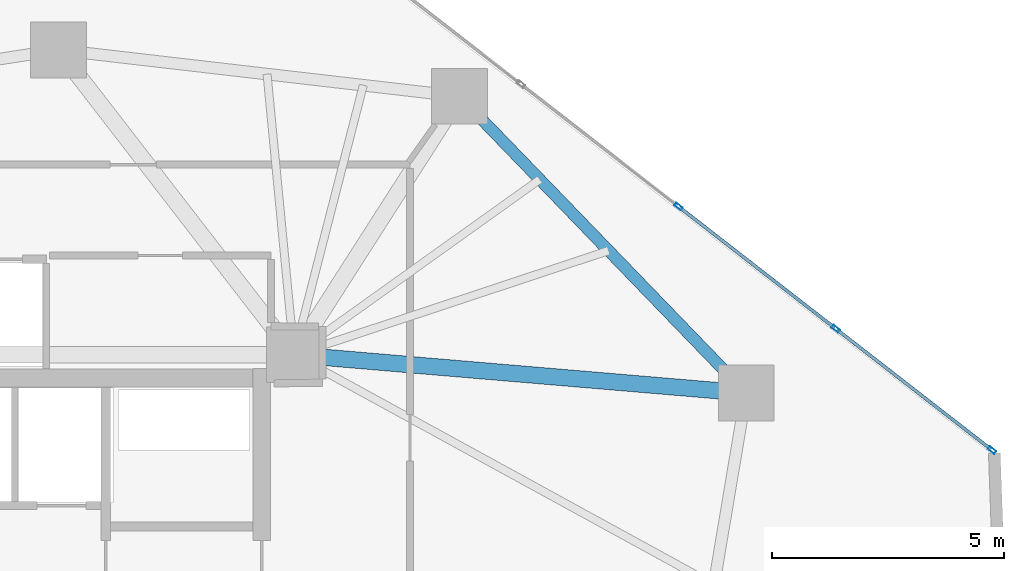
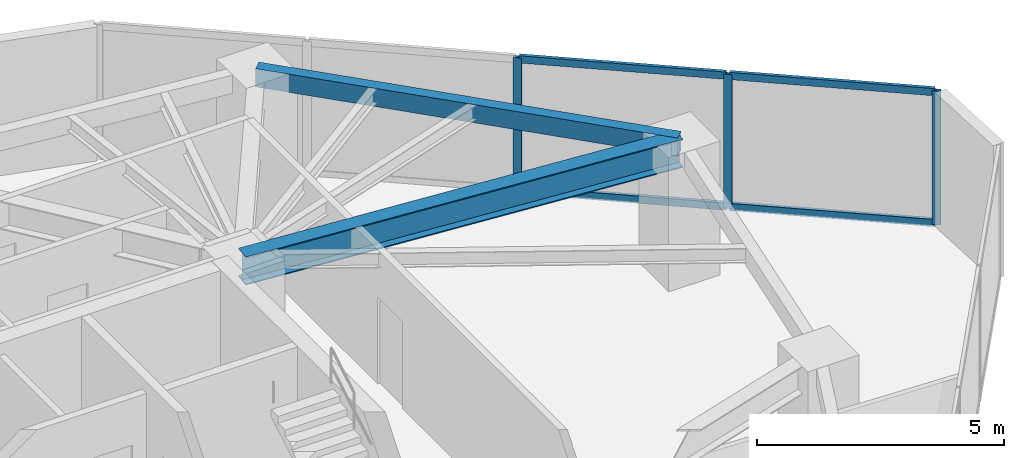
# One storey, part 13 of 22: 7 members, 2 beams, 1 element without a shape of its own.
"""IFC4 building model written with IfcOpenShell, lengths in metres."""

from ifc_helpers import new_model, si_unit, direction, frame, origin, origin_2d, place, context, subcontext, project, spatial, hollow_rectangle, i_section, extrude, source, transform, mapped, material, layer, layer_set, material_profile, profile_set, type_object, type_shapes, element, aggregate, save


model = new_model("IFC4")

# Units and contexts
model_context = context("Model", 3, precision=1e-05, world=origin(), true_north=direction((0.0, 1.0)))
body_context = subcontext(model_context, "Body", "Model", "MODEL_VIEW")
ifc_project = project(units=[si_unit("LENGTHUNIT", "METRE"), si_unit("AREAUNIT", "SQUARE_METRE"), si_unit("VOLUMEUNIT", "CUBIC_METRE"), si_unit("PLANEANGLEUNIT", "RADIAN"), si_unit("MASSUNIT", "GRAM", prefix="KILO")], contexts=[model_context])

# Site, building, storey
site_placement = place(None, origin())
site = spatial("IfcSite", under=ifc_project, at=site_placement, CompositionType="ELEMENT")
building_placement = place(site_placement, origin())
building = spatial("IfcBuilding", under=site, at=building_placement, Name="Talar Marvaseh", CompositionType="ELEMENT")
storey_placement = place(building_placement, frame((0.0, 0.0, 121.800048828125)))
storey = spatial("IfcBuildingStorey", under=building, at=storey_placement, Name="L31", CompositionType="ELEMENT", Elevation=121.800048828125)

# Beams
ifc_material_1 = material(Name="Steel S355", Category="steel")
ifc_material_profile_1 = material_profile(ifc_material_1, hollow_rectangle(XDim=0.25, YDim=0.449951171875, WallThickness=0.01611328125, at=origin_2d()), Name="RHS450x250x16")
ifc_profile_set_1 = profile_set([ifc_material_profile_1], Name="Steel S355")
beam_type_1 = type_object("IfcBeamType", Name="Zone 2 Perimeter Spandrel Beam RHS450x250x16", PredefinedType="SPANDREL", material=ifc_profile_set_1)
beam_1_placement = place(storey_placement, frame((36.865966796875, 42.470947265625, 3.0849609375), z_axis=(0.694796856243, -0.719206040405, 0.0), x_axis=(0.719206040405, 0.694796856243, 0.0)))
element("IfcBeam", 1, at=beam_1_placement, inside=storey, type_object=beam_type_1, Name="L31 Zone 2 Perimeter Spandrel Beam RHS450x250x16", PredefinedType="SPANDREL", context=body_context, shape_type="SweptSolid", body=[
    extrude(hollow_rectangle(XDim=0.25, YDim=0.449951171875, WallThickness=0.01611328125, at=origin_2d()), origin(), (0.0, 0.0, 1.0), 8.891845703125),
])
ifc_material_profile_2 = material_profile(ifc_material_1, i_section(OverallWidth=0.35498046875, OverallDepth=0.695068359375, WebThickness=0.015380859375, FlangeThickness=0.02490234375, at=origin_2d()), Name="W690x217")
ifc_profile_set_2 = profile_set([ifc_material_profile_2], Name="Steel S355")
beam_type_2 = type_object("IfcBeamType", Name="Zone 2 Radial Floor Girder W690x217", PredefinedType="BEAM", material=ifc_profile_set_2)
beam_2_placement = place(storey_placement, frame((43.0439453125, 36.075927734375, 2.96240234375), z_axis=(-0.996443598923, 0.084262412527, 0.0), x_axis=(-0.084262412527, -0.996443598923, 0.0)))
element("IfcBeam", 2, at=beam_2_placement, inside=storey, type_object=beam_type_2, Name="L31 Zone 2 Radial Floor Girder W690x217", PredefinedType="BEAM", context=body_context, shape_type="SweptSolid", body=[
    extrude(i_section(OverallWidth=0.35498046875, OverallDepth=0.695068359375, WebThickness=0.015380859375, FlangeThickness=0.02490234375, at=origin_2d()), origin(), (0.0, 0.0, 1.0), 9.778564453125),
])

# Curtain wall, members
ifc_material_2 = material(Name="Architectural Aluminium", Category="aluminium")
ifc_layer = layer(ifc_material_2, 0.199951171875)
ifc_layer_set = layer_set([ifc_layer], Name="Architectural Aluminium")
curtain_wall_type = type_object("IfcCurtainWallType", Name="Unitised Acoustic Library Curtain Wall Z2", PredefinedType="NOTDEFINED", material=ifc_layer_set)
curtain_wall_placement = place(storey_placement, origin())
curtain_wall = element("IfcCurtainWall", 3, at=curtain_wall_placement, inside=storey, type_object=curtain_wall_type, Name="L31 Unitised Acoustic Library Curtain Wall Z2", PredefinedType="NOTDEFINED")
ifc_material_profile_3 = material_profile(ifc_material_2, hollow_rectangle(XDim=0.074951171875, YDim=0.179931640625, WallThickness=0.0048828125, at=origin_2d()), Name="RHS180x75x5")
ifc_profile_set_3 = profile_set([ifc_material_profile_3], Name="Architectural Aluminium")
member_type_1 = type_object("IfcMemberType", Name="Unitised Curtain Wall Standard Mullion RHS180x75x5", PredefinedType="MULLION", material=ifc_profile_set_3)
shared_shape_1 = source(origin(), body_context, "Body", "SweptSolid", [
    extrude(hollow_rectangle(XDim=0.074951171875, YDim=0.179931640625, WallThickness=0.0048828125, at=origin_2d()), origin(), (0.0, 0.0, 1.0), 3.31005859375),
])
type_shapes(member_type_1, [shared_shape_1])
member_1_placement = place(storey_placement, frame((41.582763671875, 40.09619140625, 0.0), z_axis=(0.0, 0.0, 1.0), x_axis=(0.613544680537, 0.789660005943, 0.0)))
member_1 = element("IfcMember", 4, at=member_1_placement, type_object=member_type_1, Name="CW-Z2 mullion 3", PredefinedType="MULLION", context=body_context, shape_type="MappedRepresentation", body=[
    mapped(shared_shape_1, transform((0.0, 0.0, 0.0), x_axis=(1.0, 0.0, 0.0), y_axis=(0.0, 1.0, 0.0), z_axis=(0.0, 0.0, 1.0), scale=1.0)),
])
member_2_placement = place(storey_placement, frame((44.9765625, 37.459228515625, 0.0), z_axis=(0.0, 0.0, 1.0), x_axis=(0.613544680537, 0.789660005943, 0.0)))
member_2 = element("IfcMember", 5, at=member_2_placement, type_object=member_type_1, Name="CW-Z2 mullion 4", PredefinedType="MULLION", context=body_context, shape_type="MappedRepresentation", body=[
    mapped(shared_shape_1, transform((0.0, 0.0, 0.0), x_axis=(1.0, 0.0, 0.0), y_axis=(0.0, 1.0, 0.0), z_axis=(0.0, 0.0, 1.0), scale=1.0)),
])
member_3_placement = place(storey_placement, frame((48.3408203125, 34.845458984375, 0.0), z_axis=(0.0, 0.0, 1.0), x_axis=(0.613544680537, 0.789660005943, 0.0)))
member_3 = element("IfcMember", 6, at=member_3_placement, type_object=member_type_1, Name="CW-Z2 mullion 5", PredefinedType="MULLION", context=body_context, shape_type="MappedRepresentation", body=[
    mapped(shared_shape_1, transform((0.0, 0.0, 0.0), x_axis=(1.0, 0.0, 0.0), y_axis=(0.0, 1.0, 0.0), z_axis=(0.0, 0.0, 1.0), scale=1.0)),
])
ifc_material_profile_4 = material_profile(ifc_material_2, hollow_rectangle(XDim=0.074951171875, YDim=0.179931640625, WallThickness=0.0048828125, at=origin_2d()), Name="RHS180x75x5")
ifc_profile_set_4 = profile_set([ifc_material_profile_4], Name="Architectural Aluminium")
member_type_2 = type_object("IfcMemberType", Name="Unitised Curtain Wall Transom RHS180x75x5", PredefinedType="USERDEFINED", material=ifc_profile_set_4)
shared_shape_2 = source(origin(), body_context, "Body", "SweptSolid", [
    extrude(hollow_rectangle(XDim=0.074951171875, YDim=0.179931640625, WallThickness=0.0048828125, at=origin_2d()), origin(), (0.0, 0.0, 1.0), 4.185302734375),
])
member_4_placement = place(storey_placement, frame((45.00634765625, 37.436279296875, 0.037353515625), z_axis=(0.78965679907, -0.613548807906, 0.0), x_axis=(0.613548807906, 0.78965679907, 0.0)))
member_4 = element("IfcMember", 7, at=member_4_placement, type_object=member_type_2, Name="CW-Z2 transom 4.1", ObjectType="TRANSOM", PredefinedType="USERDEFINED", context=body_context, shape_type="MappedRepresentation", body=[
    mapped(shared_shape_2, transform((0.0, 0.0, 0.0), x_axis=(1.0, 0.0, 0.0), y_axis=(0.0, 1.0, 0.0), z_axis=(0.0, 0.0, 1.0), scale=1.0)),
])
member_5_placement = place(storey_placement, frame((45.00634765625, 37.436279296875, 3.2724609375), z_axis=(0.78965679907, -0.613548807906, 0.0), x_axis=(0.613548807906, 0.78965679907, 0.0)))
member_5 = element("IfcMember", 8, at=member_5_placement, type_object=member_type_2, Name="CW-Z2 transom 4.2", ObjectType="TRANSOM", PredefinedType="USERDEFINED", context=body_context, shape_type="MappedRepresentation", body=[
    mapped(shared_shape_2, transform((0.0, 0.0, 0.0), x_axis=(1.0, 0.0, 0.0), y_axis=(0.0, 1.0, 0.0), z_axis=(0.0, 0.0, 1.0), scale=1.0)),
])
shared_shape_3 = source(origin(), body_context, "Body", "SweptSolid", [
    extrude(hollow_rectangle(XDim=0.074951171875, YDim=0.179931640625, WallThickness=0.0048828125, at=origin_2d()), origin(), (0.0, 0.0, 1.0), 4.222900390625),
])
type_shapes(member_type_2, [shared_shape_2, shared_shape_3])
member_6_placement = place(storey_placement, frame((41.6123046875, 40.0732421875, 0.037353515625), z_axis=(0.789678975947, -0.613520264496, 0.0), x_axis=(0.613520264496, 0.789678975947, 0.0)))
member_6 = element("IfcMember", 9, at=member_6_placement, type_object=member_type_2, Name="CW-Z2 transom 3.1", ObjectType="TRANSOM", PredefinedType="USERDEFINED", context=body_context, shape_type="MappedRepresentation", body=[
    mapped(shared_shape_3, transform((0.0, 0.0, 0.0), x_axis=(1.0, 0.0, 0.0), y_axis=(0.0, 1.0, 0.0), z_axis=(0.0, 0.0, 1.0), scale=1.0)),
])
member_7_placement = place(storey_placement, frame((41.6123046875, 40.0732421875, 3.2724609375), z_axis=(0.789678975947, -0.613520264496, 0.0), x_axis=(0.613520264496, 0.789678975947, 0.0)))
member_7 = element("IfcMember", 10, at=member_7_placement, type_object=member_type_2, Name="CW-Z2 transom 3.2", ObjectType="TRANSOM", PredefinedType="USERDEFINED", context=body_context, shape_type="MappedRepresentation", body=[
    mapped(shared_shape_3, transform((0.0, 0.0, 0.0), x_axis=(1.0, 0.0, 0.0), y_axis=(0.0, 1.0, 0.0), z_axis=(0.0, 0.0, 1.0), scale=1.0)),
])
aggregate(curtain_wall, [member_1, member_2, member_3, member_6, member_7, member_4, member_5])

save(model, "model.ifc")
